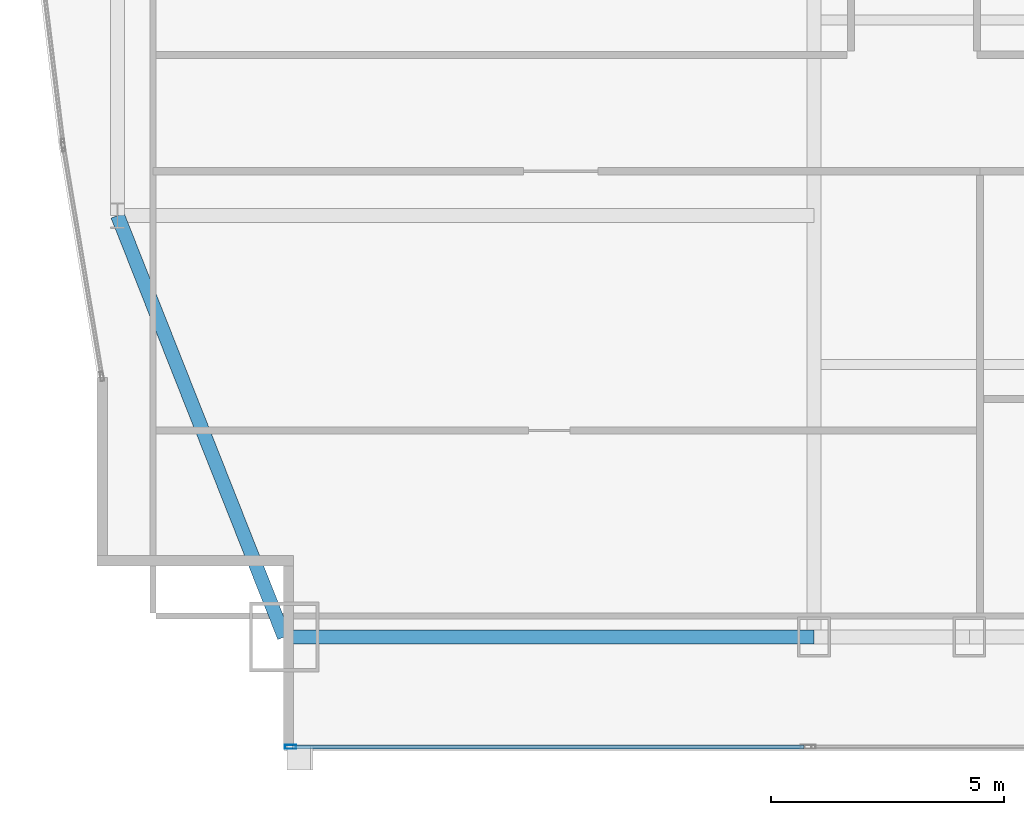
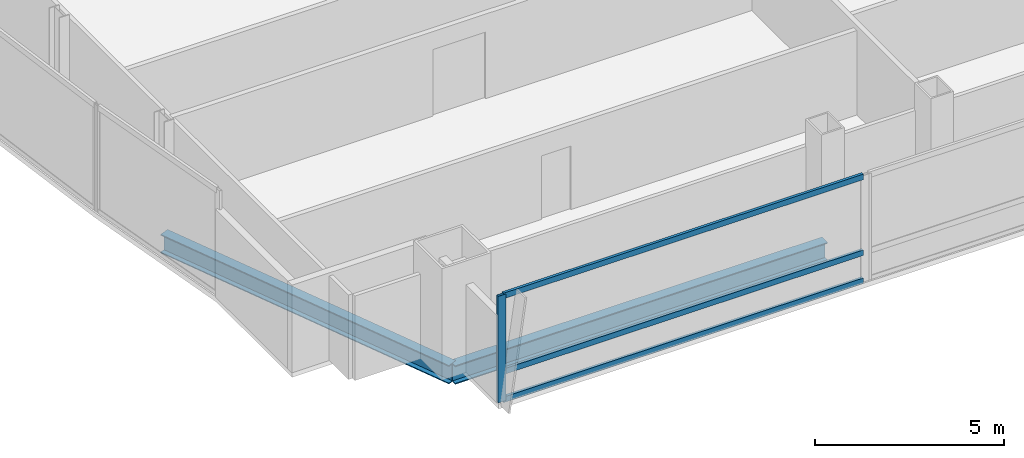
# One storey, part 5 of 31: 4 members, 2 beams, 1 element without a shape of its own.
"""IFC4 building model written with IfcOpenShell, lengths in metres."""

from ifc_helpers import new_model, si_unit, direction, frame, origin, origin_2d, place, context, subcontext, project, spatial, hollow_rectangle, i_section, extrude, material, material_profile, profile_set, type_object, element, aggregate, save


model = new_model("IFC4")

# Units and contexts
model_context = context("Model", 3, precision=1e-05, world=origin(), true_north=direction((0.0, 1.0)))
body_context = subcontext(model_context, "Body", "Model", "MODEL_VIEW")
ifc_project = project(units=[si_unit("LENGTHUNIT", "METRE"), si_unit("AREAUNIT", "SQUARE_METRE"), si_unit("VOLUMEUNIT", "CUBIC_METRE"), si_unit("PLANEANGLEUNIT", "RADIAN"), si_unit("MASSUNIT", "GRAM", prefix="KILO")], contexts=[model_context])

# Site, building, storey
site_placement = place(None, origin())
site = spatial("IfcSite", under=ifc_project, at=site_placement, CompositionType="ELEMENT")
building_placement = place(site_placement, origin())
building = spatial("IfcBuilding", under=site, at=building_placement, Name="Khoronbel Lancet Exchange", CompositionType="ELEMENT")
storey_placement = place(building_placement, frame((0.0, 0.0, 121.800048828125)))
storey = spatial("IfcBuildingStorey", under=building, at=storey_placement, Name="L29", CompositionType="ELEMENT", Elevation=121.800048828125)

# Beams
ifc_material_1 = material(Name="Steel S355", Category="steel")
ifc_material_profile_1 = material_profile(ifc_material_1, i_section(OverallWidth=0.300048828125, OverallDepth=0.60009765625, WebThickness=0.015380859375, FlangeThickness=0.030029296875, at=origin_2d()), Name="HEB 600")
ifc_profile_set_1 = profile_set([ifc_material_profile_1], Name="Steel S355")
beam_type = type_object("IfcBeamType", Name="BM-BSP2", PredefinedType="SPANDREL", material=ifc_profile_set_1)
beam_1_placement = place(storey_placement, frame((6.85009765625, 10.14990234375, -0.4599609375), z_axis=(1.0, 0.0, 0.0), x_axis=(0.0, 1.0, 0.0)))
element("IfcBeam", 1, at=beam_1_placement, inside=storey, type_object=beam_type, Name="Level L29 perimeter spandrel beam SP01", PredefinedType="SPANDREL", context=body_context, shape_type="SweptSolid", body=[
    extrude(i_section(OverallWidth=0.300048828125, OverallDepth=0.60009765625, WebThickness=0.015380859375, FlangeThickness=0.030029296875, at=origin_2d()), origin(), (0.0, 0.0, 1.0), 11.375),
])
beam_2_placement = place(storey_placement, frame((3.27001953125, 19.199951171875, -0.4599609375), z_axis=(0.367850095026, -0.92988510451, 0.0), x_axis=(0.92988510451, 0.367850095026, 0.0)))
element("IfcBeam", 2, at=beam_2_placement, inside=storey, type_object=beam_type, Name="Level L29 perimeter spandrel beam SP21", PredefinedType="SPANDREL", context=body_context, shape_type="SweptSolid", body=[
    extrude(i_section(OverallWidth=0.300048828125, OverallDepth=0.60009765625, WebThickness=0.015380859375, FlangeThickness=0.030029296875, at=origin_2d()), origin(), (0.0, 0.0, 1.0), 9.732421875),
])

# Curtain wall, members
ifc_material_2 = material(Name="Low-E Solar Control Insulating Glass", Category="glass")
curtain_wall_type = type_object("IfcCurtainWallType", Name="CW-2", PredefinedType="NOTDEFINED", material=ifc_material_2)
curtain_wall_placement = place(storey_placement, origin())
curtain_wall = element("IfcCurtainWall", 3, at=curtain_wall_placement, inside=storey, type_object=curtain_wall_type, Name="Unitised curtain wall CW-L29-SWV", PredefinedType="NOTDEFINED")
ifc_material_3 = material(Name="Bronze-Anodised Aluminium 6063-T6", Category="aluminium")
ifc_material_profile_2 = material_profile(ifc_material_3, hollow_rectangle(XDim=0.0849609375, YDim=0.239990234375, WallThickness=0.006103515625, at=origin_2d()), Name="ALU MULLION 85x240")
ifc_profile_set_2 = profile_set([ifc_material_profile_2], Name="Bronze-Anodised Aluminium 6063-T6")
member_type_1 = type_object("IfcMemberType", Name="MEM-CWM1", PredefinedType="MULLION", material=ifc_profile_set_2)
member_1_placement = place(storey_placement, frame((6.982421875, 7.7900390625, 0.0), z_axis=(0.0, 0.0, 1.0), x_axis=(0.0, 1.0, 0.0)))
member_1 = element("IfcMember", 4, at=member_1_placement, type_object=member_type_1, Name="CW2 mullion 1", PredefinedType="MULLION", context=body_context, shape_type="SweptSolid", body=[
    extrude(hollow_rectangle(XDim=0.0849609375, YDim=0.239990234375, WallThickness=0.006103515625, at=origin_2d()), origin(), (0.0, 0.0, 1.0), 3.43994140625),
])
ifc_material_profile_3 = material_profile(ifc_material_3, hollow_rectangle(XDim=0.0849609375, YDim=0.179931640625, WallThickness=0.0048828125, at=origin_2d()), Name="ALU TRANSOM 85x180")
ifc_profile_set_3 = profile_set([ifc_material_profile_3], Name="Bronze-Anodised Aluminium 6063-T6")
member_type_2 = type_object("IfcMemberType", Name="MEM-CWT1", PredefinedType="USERDEFINED", material=ifc_profile_set_3)
member_2_placement = place(storey_placement, frame((7.02490234375, 7.7900390625, 0.04248046875), z_axis=(1.0, 0.0, 0.0), x_axis=(0.0, 1.0, 0.0)))
member_2 = element("IfcMember", 5, at=member_2_placement, type_object=member_type_2, Name="CW2 transom 1.1", ObjectType="TRANSOM", PredefinedType="USERDEFINED", context=body_context, shape_type="SweptSolid", body=[
    extrude(hollow_rectangle(XDim=0.0849609375, YDim=0.179931640625, WallThickness=0.0048828125, at=origin_2d()), origin(), (0.0, 0.0, 1.0), 10.989990234375),
])
member_3_placement = place(storey_placement, frame((7.02490234375, 7.7900390625, 0.949951171875), z_axis=(1.0, 0.0, 0.0), x_axis=(0.0, 1.0, 0.0)))
member_3 = element("IfcMember", 6, at=member_3_placement, type_object=member_type_2, Name="CW2 transom 1.2", ObjectType="TRANSOM", PredefinedType="USERDEFINED", context=body_context, shape_type="SweptSolid", body=[
    extrude(hollow_rectangle(XDim=0.0849609375, YDim=0.179931640625, WallThickness=0.0048828125, at=origin_2d()), origin(), (0.0, 0.0, 1.0), 10.989990234375),
])
member_4_placement = place(storey_placement, frame((7.02490234375, 7.7900390625, 3.3974609375), z_axis=(1.0, 0.0, 0.0), x_axis=(0.0, 1.0, 0.0)))
member_4 = element("IfcMember", 7, at=member_4_placement, type_object=member_type_2, Name="CW2 transom 1.3", ObjectType="TRANSOM", PredefinedType="USERDEFINED", context=body_context, shape_type="SweptSolid", body=[
    extrude(hollow_rectangle(XDim=0.0849609375, YDim=0.179931640625, WallThickness=0.0048828125, at=origin_2d()), origin(), (0.0, 0.0, 1.0), 10.989990234375),
])
aggregate(curtain_wall, [member_1, member_2, member_3, member_4])

save(model, "model.ifc")
